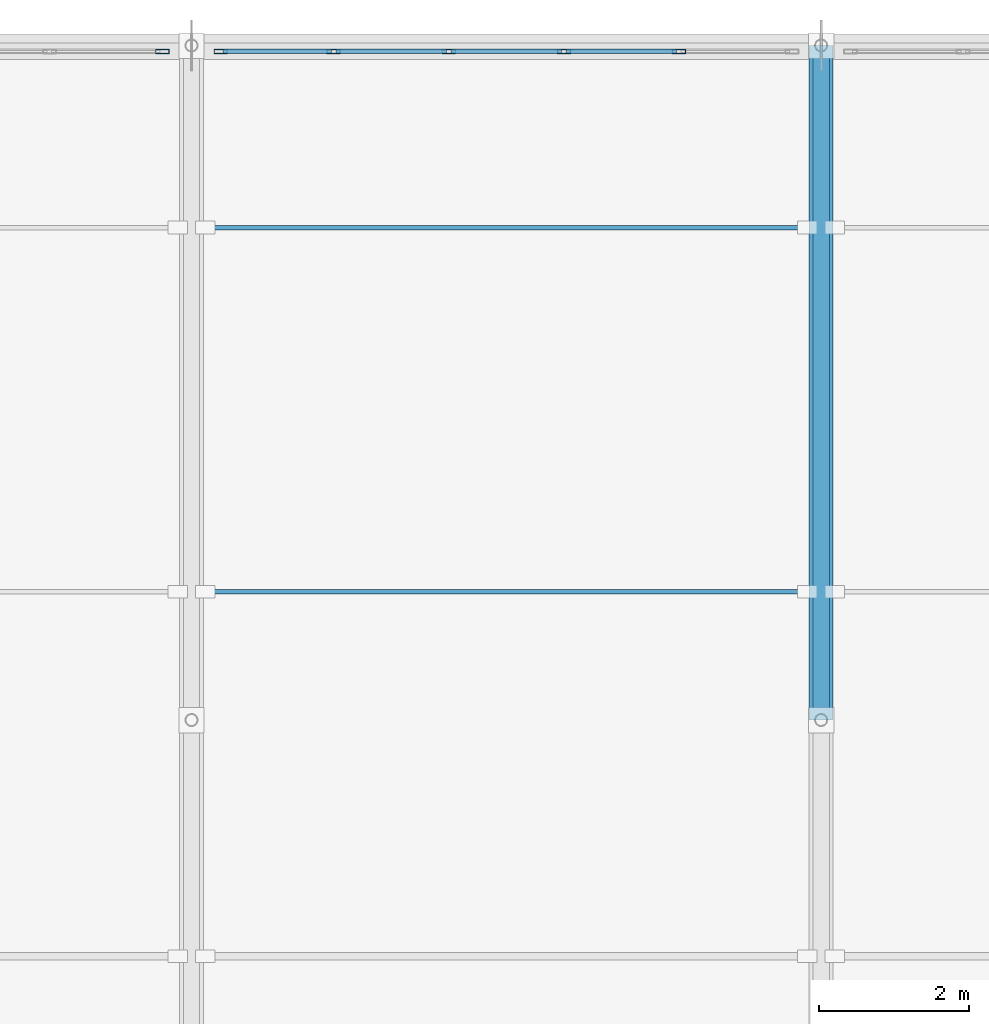
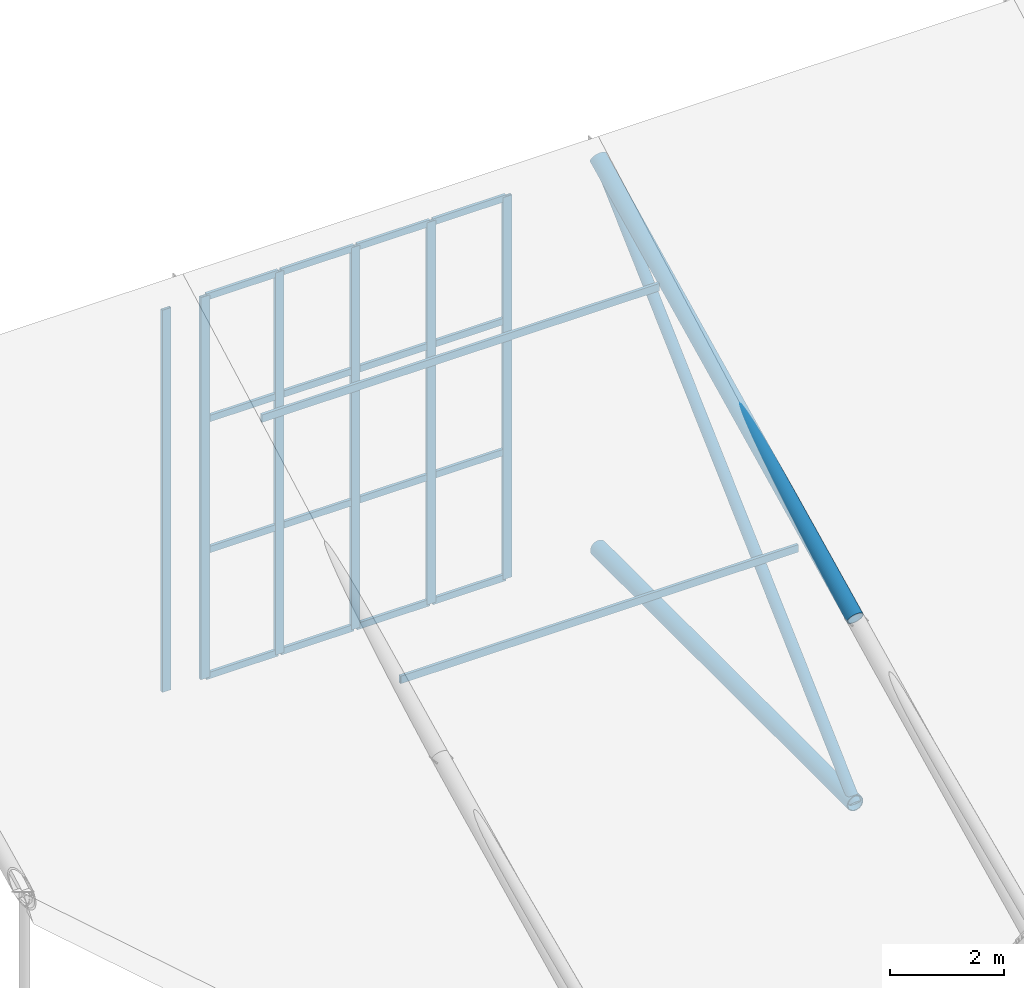
# One storey, part 22 of 38: 27 members, 2 elements without a shape of their own.
"""IFC4 building model written with IfcOpenShell, lengths in metres."""

from ifc_helpers import new_model, si_unit, direction, frame, origin, origin_2d, place, context, subcontext, project, spatial, hollow_rectangle, hollow_circle, extrude, material, material_profile, profile_set, type_object, element, aggregate, save


model = new_model("IFC4")

# Units and contexts
model_context = context("Model", 3, precision=1e-05, world=origin(), true_north=direction((0.0, 1.0)))
body_context = subcontext(model_context, "Body", "Model", "MODEL_VIEW")
ifc_project = project(units=[si_unit("LENGTHUNIT", "METRE"), si_unit("AREAUNIT", "SQUARE_METRE"), si_unit("VOLUMEUNIT", "CUBIC_METRE"), si_unit("PLANEANGLEUNIT", "RADIAN"), si_unit("MASSUNIT", "GRAM", prefix="KILO")], contexts=[model_context])

# Site, building, storey
site_placement = place(None, origin())
site = spatial("IfcSite", under=ifc_project, at=site_placement, CompositionType="ELEMENT")
building_placement = place(site_placement, origin())
building = spatial("IfcBuilding", under=site, at=building_placement, Name="Veltarok Museum of Natural Sciences", CompositionType="ELEMENT")
storey_placement = place(building_placement, frame((0.0, 0.0, 31.199951171875)))
storey = spatial("IfcBuildingStorey", under=building, at=storey_placement, Name="RF", CompositionType="ELEMENT", Elevation=31.199951171875)

# Curtain wall, member
ifc_material_1 = material(Name="Low-iron triple insulated glass", Category="glass")
curtain_wall_type = type_object("IfcCurtainWallType", Name="Curtain Wall System CW-SAW-M2-768x817 (Sawtooth North Clerestory M2 768x817cm)", PredefinedType="NOTDEFINED", material=ifc_material_1)
curtain_wall_1_placement = place(storey_placement, origin())
curtain_wall_1 = element("IfcCurtainWall", 1, at=curtain_wall_1_placement, inside=storey, type_object=curtain_wall_type, Name="Curtain Wall CW-SAW-M2-768x817 CW-SAW-0073", PredefinedType="NOTDEFINED")
ifc_material_2 = material(Name="Thermally broken anodised aluminium", Category="aluminium")
ifc_material_profile_1 = material_profile(ifc_material_2, hollow_rectangle(XDim=0.06005859375, YDim=0.179931640625, WallThickness=0.006103515625, at=origin_2d()), Name="CW MULLION 60x180x6")
ifc_profile_set_1 = profile_set([ifc_material_profile_1], Name="Thermally broken anodised aluminium")
member_type_1 = type_object("IfcMemberType", Name="Sawtooth Clerestory Mullion 60x180x6", PredefinedType="MULLION", material=ifc_profile_set_1)
member_1_placement = place(storey_placement, frame((48.010009765625, 71.919921875, -5.719970703125), z_axis=(0.0, 0.0, 1.0), x_axis=(0.0, -1.0, 0.0)))
member_1 = element("IfcMember", 2, at=member_1_placement, type_object=member_type_1, Name="CW-SAW-M2-768x817 mullion 1", PredefinedType="MULLION", context=body_context, shape_type="SweptSolid", body=[
    extrude(hollow_rectangle(XDim=0.06005859375, YDim=0.179931640625, WallThickness=0.006103515625, at=origin_2d()), origin(), (0.0, 0.0, 1.0), 8.169921875),
])
aggregate(curtain_wall_1, [member_1])

# Curtain wall, members
curtain_wall_2_placement = place(storey_placement, origin())
curtain_wall_2 = element("IfcCurtainWall", 3, at=curtain_wall_2_placement, inside=storey, type_object=curtain_wall_type, Name="Curtain Wall CW-SAW-M2-768x817 CW-SAW-0075", PredefinedType="NOTDEFINED")
member_2_placement = place(storey_placement, frame((54.904052734375, 71.919921875, -5.719970703125), z_axis=(0.0, 0.0, 1.0), x_axis=(0.0, -1.0, 0.0)))
member_2 = element("IfcMember", 4, at=member_2_placement, type_object=member_type_1, Name="CW-SAW-M2-768x817 mullion 2", PredefinedType="MULLION", context=body_context, shape_type="SweptSolid", body=[
    extrude(hollow_rectangle(XDim=0.06005859375, YDim=0.179931640625, WallThickness=0.006103515625, at=origin_2d()), origin(), (0.0, 0.0, 1.0), 8.169921875),
])
member_3_placement = place(storey_placement, frame((53.367919921875, 71.919921875, -5.719970703125), z_axis=(0.0, 0.0, 1.0), x_axis=(0.0, -1.0, 0.0)))
member_3 = element("IfcMember", 5, at=member_3_placement, type_object=member_type_1, Name="CW-SAW-M2-768x817 mullion 3", PredefinedType="MULLION", context=body_context, shape_type="SweptSolid", body=[
    extrude(hollow_rectangle(XDim=0.06005859375, YDim=0.179931640625, WallThickness=0.006103515625, at=origin_2d()), origin(), (0.0, 0.0, 1.0), 8.169921875),
])
member_4_placement = place(storey_placement, frame((51.83203125, 71.919921875, -5.719970703125), z_axis=(0.0, 0.0, 1.0), x_axis=(0.0, -1.0, 0.0)))
member_4 = element("IfcMember", 6, at=member_4_placement, type_object=member_type_1, Name="CW-SAW-M2-768x817 mullion 4", PredefinedType="MULLION", context=body_context, shape_type="SweptSolid", body=[
    extrude(hollow_rectangle(XDim=0.06005859375, YDim=0.179931640625, WallThickness=0.006103515625, at=origin_2d()), origin(), (0.0, 0.0, 1.0), 8.169921875),
])
member_5_placement = place(storey_placement, frame((50.2958984375, 71.919921875, -5.719970703125), z_axis=(0.0, 0.0, 1.0), x_axis=(0.0, -1.0, 0.0)))
member_5 = element("IfcMember", 7, at=member_5_placement, type_object=member_type_1, Name="CW-SAW-M2-768x817 mullion 5", PredefinedType="MULLION", context=body_context, shape_type="SweptSolid", body=[
    extrude(hollow_rectangle(XDim=0.06005859375, YDim=0.179931640625, WallThickness=0.006103515625, at=origin_2d()), origin(), (0.0, 0.0, 1.0), 8.169921875),
])
member_6_placement = place(storey_placement, frame((48.7900390625, 71.919921875, -5.719970703125), z_axis=(0.0, 0.0, 1.0), x_axis=(0.0, -1.0, 0.0)))
member_6 = element("IfcMember", 8, at=member_6_placement, type_object=member_type_1, Name="CW-SAW-M2-768x817 mullion 6", PredefinedType="MULLION", context=body_context, shape_type="SweptSolid", body=[
    extrude(hollow_rectangle(XDim=0.06005859375, YDim=0.179931640625, WallThickness=0.006103515625, at=origin_2d()), origin(), (0.0, 0.0, 1.0), 8.169921875),
])
ifc_material_profile_2 = material_profile(ifc_material_2, hollow_rectangle(XDim=0.06005859375, YDim=0.139892578125, WallThickness=0.0048828125, at=origin_2d()), Name="CW TRANSOM 60x140x5")
ifc_profile_set_2 = profile_set([ifc_material_profile_2], Name="Thermally broken anodised aluminium")
member_type_2 = type_object("IfcMemberType", Name="Sawtooth Clerestory Transom 60x140x5", PredefinedType="USERDEFINED", material=ifc_profile_set_2)
member_7_placement = place(storey_placement, frame((54.8740234375, 71.919921875, -5.68994140625), z_axis=(-1.0, 0.0, 0.0), x_axis=(0.0, -1.0, 0.0)))
member_7 = element("IfcMember", 9, at=member_7_placement, type_object=member_type_2, Name="CW-SAW-M2-768x817 transom 2.1", ObjectType="TRANSOM", PredefinedType="USERDEFINED", context=body_context, shape_type="SweptSolid", body=[
    extrude(hollow_rectangle(XDim=0.06005859375, YDim=0.139892578125, WallThickness=0.0048828125, at=origin_2d()), origin(), (0.0, 0.0, 1.0), 1.47607421875),
])
member_8_placement = place(storey_placement, frame((54.8740234375, 71.919921875, -3.0), z_axis=(-1.0, 0.0, 0.0), x_axis=(0.0, -1.0, 0.0)))
member_8 = element("IfcMember", 10, at=member_8_placement, type_object=member_type_2, Name="CW-SAW-M2-768x817 transom 2.2", ObjectType="TRANSOM", PredefinedType="USERDEFINED", context=body_context, shape_type="SweptSolid", body=[
    extrude(hollow_rectangle(XDim=0.06005859375, YDim=0.139892578125, WallThickness=0.0048828125, at=origin_2d()), origin(), (0.0, 0.0, 1.0), 1.47607421875),
])
member_9_placement = place(storey_placement, frame((54.8740234375, 71.919921875, -0.199951171875), z_axis=(-1.0, 0.0, 0.0), x_axis=(0.0, -1.0, 0.0)))
member_9 = element("IfcMember", 11, at=member_9_placement, type_object=member_type_2, Name="CW-SAW-M2-768x817 transom 2.3", ObjectType="TRANSOM", PredefinedType="USERDEFINED", context=body_context, shape_type="SweptSolid", body=[
    extrude(hollow_rectangle(XDim=0.06005859375, YDim=0.139892578125, WallThickness=0.0048828125, at=origin_2d()), origin(), (0.0, 0.0, 1.0), 1.47607421875),
])
member_10_placement = place(storey_placement, frame((54.8740234375, 71.919921875, 2.420166015625), z_axis=(-1.0, 0.0, 0.0), x_axis=(0.0, -1.0, 0.0)))
member_10 = element("IfcMember", 12, at=member_10_placement, type_object=member_type_2, Name="CW-SAW-M2-768x817 transom 2.4", ObjectType="TRANSOM", PredefinedType="USERDEFINED", context=body_context, shape_type="SweptSolid", body=[
    extrude(hollow_rectangle(XDim=0.06005859375, YDim=0.139892578125, WallThickness=0.0048828125, at=origin_2d()), origin(), (0.0, 0.0, 1.0), 1.47607421875),
])
member_11_placement = place(storey_placement, frame((53.337890625, 71.919921875, -5.68994140625), z_axis=(-1.0, 0.0, 0.0), x_axis=(0.0, -1.0, 0.0)))
member_11 = element("IfcMember", 13, at=member_11_placement, type_object=member_type_2, Name="CW-SAW-M2-768x817 transom 3.1", ObjectType="TRANSOM", PredefinedType="USERDEFINED", context=body_context, shape_type="SweptSolid", body=[
    extrude(hollow_rectangle(XDim=0.06005859375, YDim=0.139892578125, WallThickness=0.0048828125, at=origin_2d()), origin(), (0.0, 0.0, 1.0), 1.475830078125),
])
member_12_placement = place(storey_placement, frame((53.337890625, 71.919921875, -3.0), z_axis=(-1.0, 0.0, 0.0), x_axis=(0.0, -1.0, 0.0)))
member_12 = element("IfcMember", 14, at=member_12_placement, type_object=member_type_2, Name="CW-SAW-M2-768x817 transom 3.2", ObjectType="TRANSOM", PredefinedType="USERDEFINED", context=body_context, shape_type="SweptSolid", body=[
    extrude(hollow_rectangle(XDim=0.06005859375, YDim=0.139892578125, WallThickness=0.0048828125, at=origin_2d()), origin(), (0.0, 0.0, 1.0), 1.475830078125),
])
member_13_placement = place(storey_placement, frame((53.337890625, 71.919921875, -0.199951171875), z_axis=(-1.0, 0.0, 0.0), x_axis=(0.0, -1.0, 0.0)))
member_13 = element("IfcMember", 15, at=member_13_placement, type_object=member_type_2, Name="CW-SAW-M2-768x817 transom 3.3", ObjectType="TRANSOM", PredefinedType="USERDEFINED", context=body_context, shape_type="SweptSolid", body=[
    extrude(hollow_rectangle(XDim=0.06005859375, YDim=0.139892578125, WallThickness=0.0048828125, at=origin_2d()), origin(), (0.0, 0.0, 1.0), 1.475830078125),
])
member_14_placement = place(storey_placement, frame((53.337890625, 71.919921875, 2.420166015625), z_axis=(-1.0, 0.0, 0.0), x_axis=(0.0, -1.0, 0.0)))
member_14 = element("IfcMember", 16, at=member_14_placement, type_object=member_type_2, Name="CW-SAW-M2-768x817 transom 3.4", ObjectType="TRANSOM", PredefinedType="USERDEFINED", context=body_context, shape_type="SweptSolid", body=[
    extrude(hollow_rectangle(XDim=0.06005859375, YDim=0.139892578125, WallThickness=0.0048828125, at=origin_2d()), origin(), (0.0, 0.0, 1.0), 1.475830078125),
])
member_15_placement = place(storey_placement, frame((51.802001953125, 71.919921875, -5.68994140625), z_axis=(-1.0, 0.0, 0.0), x_axis=(0.0, -1.0, 0.0)))
member_15 = element("IfcMember", 17, at=member_15_placement, type_object=member_type_2, Name="CW-SAW-M2-768x817 transom 4.1", ObjectType="TRANSOM", PredefinedType="USERDEFINED", context=body_context, shape_type="SweptSolid", body=[
    extrude(hollow_rectangle(XDim=0.06005859375, YDim=0.139892578125, WallThickness=0.0048828125, at=origin_2d()), origin(), (0.0, 0.0, 1.0), 1.47607421875),
])
member_16_placement = place(storey_placement, frame((51.802001953125, 71.919921875, -3.0), z_axis=(-1.0, 0.0, 0.0), x_axis=(0.0, -1.0, 0.0)))
member_16 = element("IfcMember", 18, at=member_16_placement, type_object=member_type_2, Name="CW-SAW-M2-768x817 transom 4.2", ObjectType="TRANSOM", PredefinedType="USERDEFINED", context=body_context, shape_type="SweptSolid", body=[
    extrude(hollow_rectangle(XDim=0.06005859375, YDim=0.139892578125, WallThickness=0.0048828125, at=origin_2d()), origin(), (0.0, 0.0, 1.0), 1.47607421875),
])
member_17_placement = place(storey_placement, frame((51.802001953125, 71.919921875, -0.199951171875), z_axis=(-1.0, 0.0, 0.0), x_axis=(0.0, -1.0, 0.0)))
member_17 = element("IfcMember", 19, at=member_17_placement, type_object=member_type_2, Name="CW-SAW-M2-768x817 transom 4.3", ObjectType="TRANSOM", PredefinedType="USERDEFINED", context=body_context, shape_type="SweptSolid", body=[
    extrude(hollow_rectangle(XDim=0.06005859375, YDim=0.139892578125, WallThickness=0.0048828125, at=origin_2d()), origin(), (0.0, 0.0, 1.0), 1.47607421875),
])
member_18_placement = place(storey_placement, frame((51.802001953125, 71.919921875, 2.420166015625), z_axis=(-1.0, 0.0, 0.0), x_axis=(0.0, -1.0, 0.0)))
member_18 = element("IfcMember", 20, at=member_18_placement, type_object=member_type_2, Name="CW-SAW-M2-768x817 transom 4.4", ObjectType="TRANSOM", PredefinedType="USERDEFINED", context=body_context, shape_type="SweptSolid", body=[
    extrude(hollow_rectangle(XDim=0.06005859375, YDim=0.139892578125, WallThickness=0.0048828125, at=origin_2d()), origin(), (0.0, 0.0, 1.0), 1.47607421875),
])
member_19_placement = place(storey_placement, frame((50.26611328125, 71.919921875, -5.68994140625), z_axis=(-1.0, 0.0, 0.0), x_axis=(0.0, -1.0, 0.0)))
member_19 = element("IfcMember", 21, at=member_19_placement, type_object=member_type_2, Name="CW-SAW-M2-768x817 transom 5.1", ObjectType="TRANSOM", PredefinedType="USERDEFINED", context=body_context, shape_type="SweptSolid", body=[
    extrude(hollow_rectangle(XDim=0.06005859375, YDim=0.139892578125, WallThickness=0.0048828125, at=origin_2d()), origin(), (0.0, 0.0, 1.0), 1.446044921875),
])
member_20_placement = place(storey_placement, frame((50.26611328125, 71.919921875, -3.0), z_axis=(-1.0, 0.0, 0.0), x_axis=(0.0, -1.0, 0.0)))
member_20 = element("IfcMember", 22, at=member_20_placement, type_object=member_type_2, Name="CW-SAW-M2-768x817 transom 5.2", ObjectType="TRANSOM", PredefinedType="USERDEFINED", context=body_context, shape_type="SweptSolid", body=[
    extrude(hollow_rectangle(XDim=0.06005859375, YDim=0.139892578125, WallThickness=0.0048828125, at=origin_2d()), origin(), (0.0, 0.0, 1.0), 1.446044921875),
])
member_21_placement = place(storey_placement, frame((50.26611328125, 71.919921875, -0.199951171875), z_axis=(-1.0, 0.0, 0.0), x_axis=(0.0, -1.0, 0.0)))
member_21 = element("IfcMember", 23, at=member_21_placement, type_object=member_type_2, Name="CW-SAW-M2-768x817 transom 5.3", ObjectType="TRANSOM", PredefinedType="USERDEFINED", context=body_context, shape_type="SweptSolid", body=[
    extrude(hollow_rectangle(XDim=0.06005859375, YDim=0.139892578125, WallThickness=0.0048828125, at=origin_2d()), origin(), (0.0, 0.0, 1.0), 1.446044921875),
])
member_22_placement = place(storey_placement, frame((50.26611328125, 71.919921875, 2.420166015625), z_axis=(-1.0, 0.0, 0.0), x_axis=(0.0, -1.0, 0.0)))
member_22 = element("IfcMember", 24, at=member_22_placement, type_object=member_type_2, Name="CW-SAW-M2-768x817 transom 5.4", ObjectType="TRANSOM", PredefinedType="USERDEFINED", context=body_context, shape_type="SweptSolid", body=[
    extrude(hollow_rectangle(XDim=0.06005859375, YDim=0.139892578125, WallThickness=0.0048828125, at=origin_2d()), origin(), (0.0, 0.0, 1.0), 1.446044921875),
])
aggregate(curtain_wall_2, [member_2, member_3, member_4, member_5, member_6, member_7, member_8, member_9, member_10, member_11, member_12, member_13, member_14, member_15, member_16, member_17, member_18, member_19, member_20, member_21, member_22])

# Members
ifc_material_3 = material(Name="Steel S355J2", Category="steel")
ifc_material_profile_3 = material_profile(ifc_material_3, hollow_rectangle(XDim=0.06005859375, YDim=0.159912109375, WallThickness=0.0048828125, at=origin_2d()), Name="RHS 160x60x5")
ifc_profile_set_3 = profile_set([ifc_material_profile_3], Name="Steel S355J2")
member_type_3 = type_object("IfcMemberType", Name="Sawtooth Roof Purlin RHS 160x60x5", PredefinedType="PURLIN", material=ifc_profile_set_3)
for number, where, z_axis, x_axis, name in (
    (25, (48.580078125, 64.7099609375, -1.310302734375), (1.0, 0.0, 0.0), (0.0, 1.0, 0.0), "Sawtooth Purlin 6-7 M2"),
    (26, (48.580078125, 69.570068359375, 1.32958984375), (1.0, 0.0, 0.0), (0.0, 1.0, 0.0), "Sawtooth Purlin 6-7 M2"),
):
    element("IfcMember", number, at=place(storey_placement, frame(where, z_axis=z_axis, x_axis=x_axis)), inside=storey, type_object=member_type_3, Name=name, PredefinedType="PURLIN", context=body_context, shape_type="SweptSolid", body=[
        extrude(hollow_rectangle(XDim=0.06005859375, YDim=0.159912109375, WallThickness=0.0048828125, at=origin_2d()), origin(), (0.0, 0.0, 1.0), 8.0400390625),
    ])
ifc_material_4 = material(Name="Oxide-red painted Steel S355J2", Category="steel")
ifc_material_profile_4 = material_profile(ifc_material_4, hollow_circle(Radius=0.161865234375, WallThickness=0.01611328125, at=origin_2d()), Name="CHS 323.9x16")
ifc_profile_set_4 = profile_set([ifc_material_profile_4], Name="Oxide-red painted Steel S355J2")
member_type_4 = type_object("IfcMemberType", Name="Sawtooth Truss Chord CHS 323.9x16", PredefinedType="CHORD", material=ifc_profile_set_4)
member_23_placement = place(storey_placement, frame((56.800048828125, 63.0, -5.800048828125), z_axis=(0.0, 1.0, 0.0), x_axis=(-1.0, 0.0, 0.0)))
element("IfcMember", 27, at=member_23_placement, inside=storey, type_object=member_type_4, Name="Roof Truss Bottom Chord 7 M2", PredefinedType="CHORD", context=body_context, shape_type="SweptSolid", body=[
    extrude(hollow_circle(Radius=0.161865234375, WallThickness=0.01611328125, at=origin_2d()), origin(), (0.0, 0.0, 1.0), 9.0),
])
member_24_placement = place(storey_placement, frame((56.800048828125, 63.0, -1.849853515625), z_axis=(0.0, 0.898388207299, 0.439202264322), x_axis=(-1.0, 0.0, 0.0)))
element("IfcMember", 28, at=member_24_placement, inside=storey, type_object=member_type_4, Name="Roof Truss Top Chord 7 M2", PredefinedType="CHORD", context=body_context, shape_type="SweptSolid", body=[
    extrude(hollow_circle(Radius=0.161865234375, WallThickness=0.01611328125, at=origin_2d()), origin(), (0.0, 0.0, 1.0), 10.017822265625),
])
ifc_material_profile_5 = material_profile(ifc_material_4, hollow_circle(Radius=0.109619140625, WallThickness=0.010009765625, at=origin_2d()), Name="CHS 219.1x10")
ifc_profile_set_5 = profile_set([ifc_material_profile_5], Name="Oxide-red painted Steel S355J2")
member_type_5 = type_object("IfcMemberType", Name="Sawtooth Truss Web Diagonal CHS 219.1x10", PredefinedType="BRACE", material=ifc_profile_set_5)
member_25_placement = place(storey_placement, frame((56.800048828125, 63.0, -5.800048828125), z_axis=(0.0, 0.733079568112, 0.680142887059), x_axis=(-1.0, 0.0, 0.0)))
element("IfcMember", 29, at=member_25_placement, inside=storey, type_object=member_type_5, Name="Roof Truss Diagonal 7 M2", PredefinedType="BRACE", context=body_context, shape_type="SweptSolid", body=[
    extrude(hollow_circle(Radius=0.109619140625, WallThickness=0.010009765625, at=origin_2d()), origin(), (0.0, 0.0, 1.0), 12.27685546875),
])

save(model, "model.ifc")
